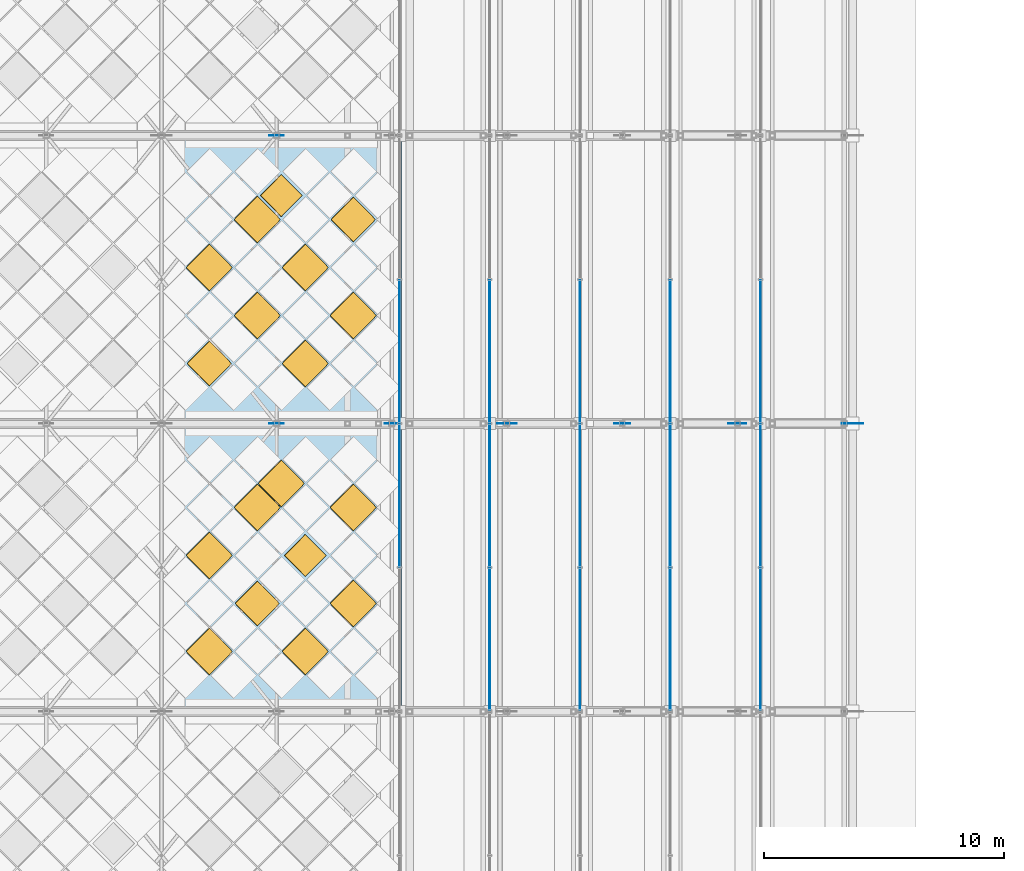
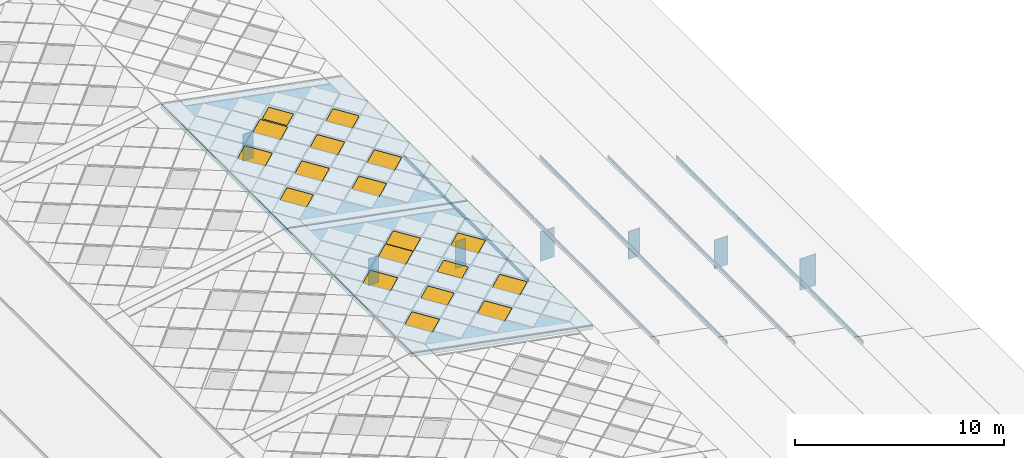
# One storey, part 95 of 117: 21 plates, 18 windows, 2 slabs, 18 openings, 5 elements without a shape of their own.
"""IFC4 building model written with IfcOpenShell, lengths in metres."""

from ifc_helpers import new_model, si_unit, direction, frame, origin, origin_2d, place, context, subcontext, project, spatial, polyline, rectangle, outline, extrude, material, layer, layer_set, type_object, element, fill, aggregate, save


model = new_model("IFC4")

# Units and contexts
model_context = context("Model", 3, precision=1e-05, world=origin(), true_north=direction((0.0, 1.0)))
body_context = subcontext(model_context, "Body", "Model", "MODEL_VIEW")
ifc_project = project(units=[si_unit("LENGTHUNIT", "METRE"), si_unit("AREAUNIT", "SQUARE_METRE"), si_unit("VOLUMEUNIT", "CUBIC_METRE"), si_unit("PLANEANGLEUNIT", "RADIAN"), si_unit("MASSUNIT", "GRAM", prefix="KILO")], contexts=[model_context])

# Site, building, storey
site_placement = place(None, origin())
site = spatial("IfcSite", under=ifc_project, at=site_placement, CompositionType="ELEMENT")
building_placement = place(site_placement, origin())
building = spatial("IfcBuilding", under=site, at=building_placement, Name="Merenkruunu Market Hall", CompositionType="ELEMENT")
storey_placement = place(building_placement, frame((0.0, 0.0, 22.800048828125)))
storey = spatial("IfcBuildingStorey", under=building, at=storey_placement, Name="RF", CompositionType="ELEMENT", Elevation=22.800048828125)

# Curtain wall, plates
ifc_material_1 = material(Name="Powder-coated aluminium", Category="aluminium")
curtain_wall_type = type_object("IfcCurtainWallType", Name="Clerestory Curtain Band CL05", PredefinedType="USERDEFINED", material=ifc_material_1)
curtain_wall_1_placement = place(storey_placement, origin())
curtain_wall_1 = element("IfcCurtainWall", 1, at=curtain_wall_1_placement, inside=storey, type_object=curtain_wall_type, Name="CW-RF-CWM04-086", ObjectType="CLERESTORY_BAND", PredefinedType="USERDEFINED")
ifc_material_2 = material(Name="Triple low-E insulated glass", Category="glass")
ifc_layer_1 = layer(ifc_material_2, 0.035888671875)
ifc_layer_set_1 = layer_set([ifc_layer_1], Name="Triple low-E insulated glass")
plate_type_1 = type_object("IfcPlateType", Name="Curtain Wall Glazing Panel CWP08", PredefinedType="CURTAIN_PANEL", material=ifc_layer_set_1)
plate_1_placement = place(storey_placement, frame((53.760009765625, 78.60009765625, -6.462158203125), z_axis=(0.0, 0.0, 1.0), x_axis=(0.0, -1.0, 0.0)))
plate_1 = element("IfcPlate", 2, at=plate_1_placement, type_object=plate_type_1, Name="CL05 panel 2.1", PredefinedType="CURTAIN_PANEL", context=body_context, shape_type="SweptSolid", body=[
    extrude(rectangle(XDim=5.929931640625, YDim=0.035888671875, at=origin_2d()), origin(), (0.0, 0.0, 1.0), 0.22802734375),
])
plate_2_placement = place(storey_placement, frame((53.760009765625, 72.60009765625, -6.462158203125), z_axis=(0.0, 0.0, 1.0), x_axis=(0.0, -1.0, 0.0)))
plate_2 = element("IfcPlate", 3, at=plate_2_placement, type_object=plate_type_1, Name="CL05 panel 3.1", PredefinedType="CURTAIN_PANEL", context=body_context, shape_type="SweptSolid", body=[
    extrude(rectangle(XDim=5.929931640625, YDim=0.035888671875, at=origin_2d()), origin(), (0.0, 0.0, 1.0), 0.22802734375),
])
plate_3_placement = place(storey_placement, frame((53.760009765625, 66.617431640625, -6.462158203125), z_axis=(0.0, 0.0, 1.0), x_axis=(0.0, -1.0, 0.0)))
plate_3 = element("IfcPlate", 4, at=plate_3_placement, type_object=plate_type_1, Name="CL05 panel 4.1", PredefinedType="CURTAIN_PANEL", context=body_context, shape_type="SweptSolid", body=[
    extrude(rectangle(XDim=5.89501953125, YDim=0.035888671875, at=origin_2d()), origin(), (0.0, 0.0, 1.0), 0.22802734375),
])
aggregate(curtain_wall_1, [plate_1, plate_2, plate_3])

curtain_wall_2_placement = place(storey_placement, origin())
curtain_wall_2 = element("IfcCurtainWall", 5, at=curtain_wall_2_placement, inside=storey, type_object=curtain_wall_type, Name="CW-RF-CWM04-094", ObjectType="CLERESTORY_BAND", PredefinedType="USERDEFINED")
plate_4_placement = place(storey_placement, frame((50.0, 78.60009765625, -5.14208984375), z_axis=(0.0, 0.0, 1.0), x_axis=(0.0, -1.0, 0.0)))
plate_4 = element("IfcPlate", 6, at=plate_4_placement, type_object=plate_type_1, Name="CL05 panel 2.1", PredefinedType="CURTAIN_PANEL", context=body_context, shape_type="SweptSolid", body=[
    extrude(rectangle(XDim=5.929931640625, YDim=0.035888671875, at=origin_2d()), origin(), (0.0, 0.0, 1.0), 0.20703125),
])
plate_5_placement = place(storey_placement, frame((50.0, 72.60009765625, -5.14208984375), z_axis=(0.0, 0.0, 1.0), x_axis=(0.0, -1.0, 0.0)))
plate_5 = element("IfcPlate", 7, at=plate_5_placement, type_object=plate_type_1, Name="CL05 panel 3.1", PredefinedType="CURTAIN_PANEL", context=body_context, shape_type="SweptSolid", body=[
    extrude(rectangle(XDim=5.929931640625, YDim=0.035888671875, at=origin_2d()), origin(), (0.0, 0.0, 1.0), 0.20703125),
])
plate_6_placement = place(storey_placement, frame((50.0, 66.617431640625, -5.14208984375), z_axis=(0.0, 0.0, 1.0), x_axis=(0.0, -1.0, 0.0)))
plate_6 = element("IfcPlate", 8, at=plate_6_placement, type_object=plate_type_1, Name="CL05 panel 4.1", PredefinedType="CURTAIN_PANEL", context=body_context, shape_type="SweptSolid", body=[
    extrude(rectangle(XDim=5.89501953125, YDim=0.035888671875, at=origin_2d()), origin(), (0.0, 0.0, 1.0), 0.20703125),
])
aggregate(curtain_wall_2, [plate_4, plate_5, plate_6])

curtain_wall_3_placement = place(storey_placement, origin())
curtain_wall_3 = element("IfcCurtainWall", 9, at=curtain_wall_3_placement, inside=storey, type_object=curtain_wall_type, Name="CW-RF-CWM04-102", ObjectType="CLERESTORY_BAND", PredefinedType="USERDEFINED")
plate_7_placement = place(storey_placement, frame((46.239990234375, 78.60009765625, -3.822021484375), z_axis=(0.0, 0.0, 1.0), x_axis=(0.0, -1.0, 0.0)))
plate_7 = element("IfcPlate", 10, at=plate_7_placement, type_object=plate_type_1, Name="CL05 panel 2.1", PredefinedType="CURTAIN_PANEL", context=body_context, shape_type="SweptSolid", body=[
    extrude(rectangle(XDim=5.929931640625, YDim=0.035888671875, at=origin_2d()), origin(), (0.0, 0.0, 1.0), 0.22802734375),
])
plate_8_placement = place(storey_placement, frame((46.239990234375, 72.60009765625, -3.822021484375), z_axis=(0.0, 0.0, 1.0), x_axis=(0.0, -1.0, 0.0)))
plate_8 = element("IfcPlate", 11, at=plate_8_placement, type_object=plate_type_1, Name="CL05 panel 3.1", PredefinedType="CURTAIN_PANEL", context=body_context, shape_type="SweptSolid", body=[
    extrude(rectangle(XDim=5.929931640625, YDim=0.035888671875, at=origin_2d()), origin(), (0.0, 0.0, 1.0), 0.22802734375),
])
plate_9_placement = place(storey_placement, frame((46.239990234375, 66.617431640625, -3.822021484375), z_axis=(0.0, 0.0, 1.0), x_axis=(0.0, -1.0, 0.0)))
plate_9 = element("IfcPlate", 12, at=plate_9_placement, type_object=plate_type_1, Name="CL05 panel 4.1", PredefinedType="CURTAIN_PANEL", context=body_context, shape_type="SweptSolid", body=[
    extrude(rectangle(XDim=5.89501953125, YDim=0.035888671875, at=origin_2d()), origin(), (0.0, 0.0, 1.0), 0.22802734375),
])
aggregate(curtain_wall_3, [plate_7, plate_8, plate_9])

curtain_wall_4_placement = place(storey_placement, origin())
curtain_wall_4 = element("IfcCurtainWall", 13, at=curtain_wall_4_placement, inside=storey, type_object=curtain_wall_type, Name="CW-RF-CWM04-110", ObjectType="CLERESTORY_BAND", PredefinedType="USERDEFINED")
plate_10_placement = place(storey_placement, frame((42.47998046875, 78.60009765625, -2.501953125), z_axis=(0.0, 0.0, 1.0), x_axis=(0.0, -1.0, 0.0)))
plate_10 = element("IfcPlate", 14, at=plate_10_placement, type_object=plate_type_1, Name="CL05 panel 2.1", PredefinedType="CURTAIN_PANEL", context=body_context, shape_type="SweptSolid", body=[
    extrude(rectangle(XDim=5.929931640625, YDim=0.035888671875, at=origin_2d()), origin(), (0.0, 0.0, 1.0), 0.20703125),
])
plate_11_placement = place(storey_placement, frame((42.47998046875, 72.60009765625, -2.501953125), z_axis=(0.0, 0.0, 1.0), x_axis=(0.0, -1.0, 0.0)))
plate_11 = element("IfcPlate", 15, at=plate_11_placement, type_object=plate_type_1, Name="CL05 panel 3.1", PredefinedType="CURTAIN_PANEL", context=body_context, shape_type="SweptSolid", body=[
    extrude(rectangle(XDim=5.929931640625, YDim=0.035888671875, at=origin_2d()), origin(), (0.0, 0.0, 1.0), 0.20703125),
])
plate_12_placement = place(storey_placement, frame((42.47998046875, 66.617431640625, -2.501953125), z_axis=(0.0, 0.0, 1.0), x_axis=(0.0, -1.0, 0.0)))
plate_12 = element("IfcPlate", 16, at=plate_12_placement, type_object=plate_type_1, Name="CL05 panel 4.1", PredefinedType="CURTAIN_PANEL", context=body_context, shape_type="SweptSolid", body=[
    extrude(rectangle(XDim=5.89501953125, YDim=0.035888671875, at=origin_2d()), origin(), (0.0, 0.0, 1.0), 0.20703125),
])
aggregate(curtain_wall_4, [plate_10, plate_11, plate_12])

curtain_wall_5_placement = place(storey_placement, origin())
curtain_wall_5 = element("IfcCurtainWall", 17, at=curtain_wall_5_placement, inside=storey, type_object=curtain_wall_type, Name="CW-RF-CWM04-118", ObjectType="CLERESTORY_BAND", PredefinedType="USERDEFINED")
plate_13_placement = place(storey_placement, frame((38.719970703125, 78.60009765625, -1.18212890625), z_axis=(0.0, 0.0, 1.0), x_axis=(0.0, -1.0, 0.0)))
plate_13 = element("IfcPlate", 18, at=plate_13_placement, type_object=plate_type_1, Name="CL05 panel 2.1", PredefinedType="CURTAIN_PANEL", context=body_context, shape_type="SweptSolid", body=[
    extrude(rectangle(XDim=5.929931640625, YDim=0.035888671875, at=origin_2d()), origin(), (0.0, 0.0, 1.0), 0.22802734375),
])
plate_14_placement = place(storey_placement, frame((38.719970703125, 72.60009765625, -1.18212890625), z_axis=(0.0, 0.0, 1.0), x_axis=(0.0, -1.0, 0.0)))
plate_14 = element("IfcPlate", 19, at=plate_14_placement, type_object=plate_type_1, Name="CL05 panel 3.1", PredefinedType="CURTAIN_PANEL", context=body_context, shape_type="SweptSolid", body=[
    extrude(rectangle(XDim=5.929931640625, YDim=0.035888671875, at=origin_2d()), origin(), (0.0, 0.0, 1.0), 0.22802734375),
])
aggregate(curtain_wall_5, [plate_13, plate_14])

# Slab, openings, windows
ifc_material_3 = material(Name="High-albedo white roof Steel S355ML", Category="steel")
ifc_layer_2 = layer(ifc_material_3, 0.199951171875)
ifc_layer_set_2 = layer_set([ifc_layer_2], Name="High-albedo white roof Steel S355ML")
slab_type = type_object("IfcSlabType", Name="Sloped Or Flat Roof Deck RS01", PredefinedType="ROOF", material=ifc_layer_set_2)
slab_1_placement = place(storey_placement, frame((28.800048828125, 63.60009765625, 1.800048828125), z_axis=(0.184775267092, 0.0, 0.98278079991), x_axis=(0.98278079991, 0.0, -0.184775267092)))
slab_1 = element("IfcSlab", 20, at=slab_1_placement, inside=storey, type_object=slab_type, Name="SL-ROOF-V1-CROWN-E-05", PredefinedType="ROOF", context=body_context, shape_type="SweptSolid", body=[
    extrude(outline(polyline([(0.0, 0.0), (10.175208959027184, 0.0), (10.175208959027184, 12.0), (0.0, 12.0), (0.0, 0.0)])), origin(), (0.0, 0.0, -1.0), 0.199951171875),
])
opening_1_placement = place(slab_1_placement, frame((2.034912109375, 2.5, 0.0), z_axis=(0.0, 0.0, 1.0), x_axis=(0.707106781187, 0.707106781187, 0.0)))
opening_1 = element("IfcOpeningElement", 21, at=opening_1_placement, cuts=slab_1, Name="Opening SK01", PredefinedType="OPENING", context=body_context, shape_type="SweptSolid", body=[
    extrude(rectangle(XDim=1.3798828125, YDim=1.3798828125, at=origin_2d()), frame((0.0, 0.0, 0.014892578125), z_axis=(0.0, 0.0, -1.0), x_axis=(1.0, 0.0, 0.0)), (0.0, 0.0, 1.0), 0.229736328125),
])
opening_2_placement = place(slab_1_placement, frame((2.034912109375, 6.5, 0.0), z_axis=(0.0, 0.0, 1.0), x_axis=(0.707106781187, 0.707106781187, 0.0)))
opening_2 = element("IfcOpeningElement", 22, at=opening_2_placement, cuts=slab_1, Name="Opening SK01", PredefinedType="OPENING", context=body_context, shape_type="SweptSolid", body=[
    extrude(rectangle(XDim=1.3798828125, YDim=1.3798828125, at=origin_2d()), frame((0.0, 0.0, 0.014892578125), z_axis=(0.0, 0.0, -1.0), x_axis=(1.0, 0.0, 0.0)), (0.0, 0.0, 1.0), 0.229736328125),
])
opening_3_placement = place(slab_1_placement, frame((4.070068359375, 4.5, -0.000244140625), z_axis=(0.0, 0.0, 1.0), x_axis=(0.707106781187, 0.707106781187, 0.0)))
opening_3 = element("IfcOpeningElement", 23, at=opening_3_placement, cuts=slab_1, Name="Opening SK02", PredefinedType="OPENING", context=body_context, shape_type="SweptSolid", body=[
    extrude(rectangle(XDim=1.320068359375, YDim=1.320068359375, at=origin_2d()), frame((0.0, 0.0, 0.014892578125), z_axis=(0.0, 0.0, -1.0), x_axis=(1.0, 0.0, 0.0)), (0.0, 0.0, 1.0), 0.229736328125),
])
opening_4_placement = place(slab_1_placement, frame((4.070068359375, 8.5, -0.000244140625), z_axis=(0.0, 0.0, 1.0), x_axis=(0.707106781187, 0.707106781187, 0.0)))
opening_4 = element("IfcOpeningElement", 24, at=opening_4_placement, cuts=slab_1, Name="Opening SK01", PredefinedType="OPENING", context=body_context, shape_type="SweptSolid", body=[
    extrude(rectangle(XDim=1.3798828125, YDim=1.3798828125, at=origin_2d()), frame((0.0, 0.0, 0.014892578125), z_axis=(0.0, 0.0, -1.0), x_axis=(1.0, 0.0, 0.0)), (0.0, 0.0, 1.0), 0.229736328125),
])
opening_5_placement = place(slab_1_placement, frame((5.087646484375, 9.5, 0.0), z_axis=(0.0, 0.0, 1.0), x_axis=(0.707106781187, 0.707106781187, 0.0)))
opening_5 = element("IfcOpeningElement", 25, at=opening_5_placement, cuts=slab_1, Name="Opening SK01", PredefinedType="OPENING", context=body_context, shape_type="SweptSolid", body=[
    extrude(rectangle(XDim=1.3798828125, YDim=1.3798828125, at=origin_2d()), frame((0.0, 0.0, 0.014892578125), z_axis=(0.0, 0.0, -1.0), x_axis=(1.0, 0.0, 0.0)), (0.0, 0.0, 1.0), 0.229736328125),
])
opening_6_placement = place(slab_1_placement, frame((6.105224609375, 2.5, 0.0), z_axis=(0.0, 0.0, 1.0), x_axis=(0.707106781187, 0.707106781187, 0.0)))
opening_6 = element("IfcOpeningElement", 26, at=opening_6_placement, cuts=slab_1, Name="Opening SK01", PredefinedType="OPENING", context=body_context, shape_type="SweptSolid", body=[
    extrude(rectangle(XDim=1.3798828125, YDim=1.3798828125, at=origin_2d()), frame((0.0, 0.0, 0.014892578125), z_axis=(0.0, 0.0, -1.0), x_axis=(1.0, 0.0, 0.0)), (0.0, 0.0, 1.0), 0.229736328125),
])
opening_7_placement = place(slab_1_placement, frame((6.105224609375, 6.5, 0.0), z_axis=(0.0, 0.0, 1.0), x_axis=(0.707106781187, 0.707106781187, 0.0)))
opening_7 = element("IfcOpeningElement", 27, at=opening_7_placement, cuts=slab_1, Name="Opening SK03", PredefinedType="OPENING", context=body_context, shape_type="SweptSolid", body=[
    extrude(rectangle(XDim=1.239990234375, YDim=1.239990234375, at=origin_2d()), frame((0.0, 0.0, 0.014892578125), z_axis=(0.0, 0.0, -1.0), x_axis=(1.0, 0.0, 0.0)), (0.0, 0.0, 1.0), 0.229736328125),
])
opening_8_placement = place(slab_1_placement, frame((8.14013671875, 4.5, 0.0), z_axis=(0.0, 0.0, 1.0), x_axis=(0.707106781187, 0.707106781187, 0.0)))
opening_8 = element("IfcOpeningElement", 28, at=opening_8_placement, cuts=slab_1, Name="Opening SK01", PredefinedType="OPENING", context=body_context, shape_type="SweptSolid", body=[
    extrude(rectangle(XDim=1.3798828125, YDim=1.3798828125, at=origin_2d()), frame((0.0, 0.0, 0.014892578125), z_axis=(0.0, 0.0, -1.0), x_axis=(1.0, 0.0, 0.0)), (0.0, 0.0, 1.0), 0.229736328125),
])
opening_9_placement = place(slab_1_placement, frame((8.14013671875, 8.5, 0.0), z_axis=(0.0, 0.0, 1.0), x_axis=(0.707106781187, 0.707106781187, 0.0)))
opening_9 = element("IfcOpeningElement", 29, at=opening_9_placement, cuts=slab_1, Name="Opening SK01", PredefinedType="OPENING", context=body_context, shape_type="SweptSolid", body=[
    extrude(rectangle(XDim=1.3798828125, YDim=1.3798828125, at=origin_2d()), frame((0.0, 0.0, 0.014892578125), z_axis=(0.0, 0.0, -1.0), x_axis=(1.0, 0.0, 0.0)), (0.0, 0.0, 1.0), 0.229736328125),
])
ifc_material_4 = material(Name="Diamond skylight blue triple glass", Category="glass")
ifc_layer_3 = layer(ifc_material_4, 0.094970703125)
ifc_layer_set_3 = layer_set([ifc_layer_3], Name="Diamond skylight blue triple glass")
window_type_1 = type_object("IfcWindowType", Name="Diamond Roof Skylight SK01", PartitioningType="SINGLE_PANEL", PredefinedType="SKYLIGHT", material=ifc_layer_set_3)
window_1_placement = place(opening_1_placement, origin())
window_1 = element("IfcWindow", 30, at=window_1_placement, inside=storey, type_object=window_type_1, Name="SKY-CROWN-082", OverallHeight=1.3798828125, OverallWidth=1.3798828125, PartitioningType="SINGLE_PANEL", PredefinedType="SKYLIGHT", context=body_context, shape_type="SweptSolid", body=[
    extrude(rectangle(XDim=1.3798828125, YDim=1.3798828125, at=origin_2d()), frame((0.0, 0.0, 0.0), z_axis=(0.0, 0.0, -1.0), x_axis=(1.0, 0.0, 0.0)), (0.0, 0.0, 1.0), 0.094970703125),
])
fill(opening_1, window_1)
window_2_placement = place(opening_2_placement, origin())
window_2 = element("IfcWindow", 31, at=window_2_placement, inside=storey, type_object=window_type_1, Name="SKY-CROWN-083", OverallHeight=1.3798828125, OverallWidth=1.3798828125, PartitioningType="SINGLE_PANEL", PredefinedType="SKYLIGHT", context=body_context, shape_type="SweptSolid", body=[
    extrude(rectangle(XDim=1.3798828125, YDim=1.3798828125, at=origin_2d()), frame((0.0, 0.0, 0.0), z_axis=(0.0, 0.0, -1.0), x_axis=(1.0, 0.0, 0.0)), (0.0, 0.0, 1.0), 0.094970703125),
])
fill(opening_2, window_2)
window_3_placement = place(opening_4_placement, origin())
window_3 = element("IfcWindow", 32, at=window_3_placement, inside=storey, type_object=window_type_1, Name="SKY-CROWN-085", OverallHeight=1.3798828125, OverallWidth=1.3798828125, PartitioningType="SINGLE_PANEL", PredefinedType="SKYLIGHT", context=body_context, shape_type="SweptSolid", body=[
    extrude(rectangle(XDim=1.3798828125, YDim=1.3798828125, at=origin_2d()), frame((0.0, 0.0, 0.0), z_axis=(0.0, 0.0, -1.0), x_axis=(1.0, 0.0, 0.0)), (0.0, 0.0, 1.0), 0.094970703125),
])
fill(opening_4, window_3)
window_4_placement = place(opening_5_placement, origin())
window_4 = element("IfcWindow", 33, at=window_4_placement, inside=storey, type_object=window_type_1, Name="SKY-CROWN-086", OverallHeight=1.3798828125, OverallWidth=1.3798828125, PartitioningType="SINGLE_PANEL", PredefinedType="SKYLIGHT", context=body_context, shape_type="SweptSolid", body=[
    extrude(rectangle(XDim=1.3798828125, YDim=1.3798828125, at=origin_2d()), frame((0.0, 0.0, 0.0), z_axis=(0.0, 0.0, -1.0), x_axis=(1.0, 0.0, 0.0)), (0.0, 0.0, 1.0), 0.094970703125),
])
fill(opening_5, window_4)
window_5_placement = place(opening_6_placement, origin())
window_5 = element("IfcWindow", 34, at=window_5_placement, inside=storey, type_object=window_type_1, Name="SKY-CROWN-087", OverallHeight=1.3798828125, OverallWidth=1.3798828125, PartitioningType="SINGLE_PANEL", PredefinedType="SKYLIGHT", context=body_context, shape_type="SweptSolid", body=[
    extrude(rectangle(XDim=1.3798828125, YDim=1.3798828125, at=origin_2d()), frame((0.0, 0.0, 0.0), z_axis=(0.0, 0.0, -1.0), x_axis=(1.0, 0.0, 0.0)), (0.0, 0.0, 1.0), 0.094970703125),
])
fill(opening_6, window_5)
window_6_placement = place(opening_8_placement, origin())
window_6 = element("IfcWindow", 35, at=window_6_placement, inside=storey, type_object=window_type_1, Name="SKY-CROWN-089", OverallHeight=1.3798828125, OverallWidth=1.3798828125, PartitioningType="SINGLE_PANEL", PredefinedType="SKYLIGHT", context=body_context, shape_type="SweptSolid", body=[
    extrude(rectangle(XDim=1.3798828125, YDim=1.3798828125, at=origin_2d()), frame((0.0, 0.0, 0.0), z_axis=(0.0, 0.0, -1.0), x_axis=(1.0, 0.0, 0.0)), (0.0, 0.0, 1.0), 0.094970703125),
])
fill(opening_8, window_6)
window_7_placement = place(opening_9_placement, origin())
window_7 = element("IfcWindow", 36, at=window_7_placement, inside=storey, type_object=window_type_1, Name="SKY-CROWN-090", OverallHeight=1.3798828125, OverallWidth=1.3798828125, PartitioningType="SINGLE_PANEL", PredefinedType="SKYLIGHT", context=body_context, shape_type="SweptSolid", body=[
    extrude(rectangle(XDim=1.3798828125, YDim=1.3798828125, at=origin_2d()), frame((0.0, 0.0, 0.0), z_axis=(0.0, 0.0, -1.0), x_axis=(1.0, 0.0, 0.0)), (0.0, 0.0, 1.0), 0.094970703125),
])
fill(opening_9, window_7)
ifc_layer_4 = layer(ifc_material_4, 0.094970703125)
ifc_layer_set_4 = layer_set([ifc_layer_4], Name="Diamond skylight blue triple glass")
window_type_2 = type_object("IfcWindowType", Name="Diamond Roof Skylight SK02", PartitioningType="SINGLE_PANEL", PredefinedType="SKYLIGHT", material=ifc_layer_set_4)
window_8_placement = place(opening_3_placement, origin())
window_8 = element("IfcWindow", 37, at=window_8_placement, inside=storey, type_object=window_type_2, Name="SKY-CROWN-084", OverallHeight=1.320068359375, OverallWidth=1.320068359375, PartitioningType="SINGLE_PANEL", PredefinedType="SKYLIGHT", context=body_context, shape_type="SweptSolid", body=[
    extrude(rectangle(XDim=1.320068359375, YDim=1.320068359375, at=origin_2d()), frame((0.0, 0.0, 0.0), z_axis=(0.0, 0.0, -1.0), x_axis=(1.0, 0.0, 0.0)), (0.0, 0.0, 1.0), 0.094970703125),
])
fill(opening_3, window_8)
ifc_layer_5 = layer(ifc_material_4, 0.094970703125)
ifc_layer_set_5 = layer_set([ifc_layer_5], Name="Diamond skylight blue triple glass")
window_type_3 = type_object("IfcWindowType", Name="Roof Smoke Vent Skylight SK03", PartitioningType="SINGLE_PANEL", PredefinedType="SKYLIGHT", material=ifc_layer_set_5)
window_9_placement = place(opening_7_placement, origin())
window_9 = element("IfcWindow", 38, at=window_9_placement, inside=storey, type_object=window_type_3, Name="SKY-CROWN-088", OverallHeight=1.239990234375, OverallWidth=1.239990234375, PartitioningType="SINGLE_PANEL", PredefinedType="SKYLIGHT", context=body_context, shape_type="SweptSolid", body=[
    extrude(rectangle(XDim=1.239990234375, YDim=1.239990234375, at=origin_2d()), frame((0.0, 0.0, 0.0), z_axis=(0.0, 0.0, -1.0), x_axis=(1.0, 0.0, 0.0)), (0.0, 0.0, 1.0), 0.094970703125),
])
fill(opening_7, window_9)

slab_2_placement = place(storey_placement, frame((28.800048828125, 75.60009765625, 1.800048828125), z_axis=(0.184775267092, 0.0, 0.98278079991), x_axis=(0.98278079991, 0.0, -0.184775267092)))
slab_2 = element("IfcSlab", 39, at=slab_2_placement, inside=storey, type_object=slab_type, Name="SL-ROOF-V1-CROWN-E-06", PredefinedType="ROOF", context=body_context, shape_type="SweptSolid", body=[
    extrude(outline(polyline([(0.0, 0.0), (10.175208959027184, 0.0), (10.175208959027184, 12.0), (0.0, 12.0), (0.0, 0.0)])), origin(), (0.0, 0.0, -1.0), 0.199951171875),
])
opening_10_placement = place(slab_2_placement, frame((2.034912109375, 2.5, 0.0), z_axis=(0.0, 0.0, 1.0), x_axis=(0.707106781187, 0.707106781187, 0.0)))
opening_10 = element("IfcOpeningElement", 40, at=opening_10_placement, cuts=slab_2, Name="Opening SK02", PredefinedType="OPENING", context=body_context, shape_type="SweptSolid", body=[
    extrude(rectangle(XDim=1.320068359375, YDim=1.320068359375, at=origin_2d()), frame((0.0, 0.0, 0.014892578125), z_axis=(0.0, 0.0, -1.0), x_axis=(1.0, 0.0, 0.0)), (0.0, 0.0, 1.0), 0.229736328125),
])
opening_11_placement = place(slab_2_placement, frame((2.034912109375, 6.5, 0.0), z_axis=(0.0, 0.0, 1.0), x_axis=(0.707106781187, 0.707106781187, 0.0)))
opening_11 = element("IfcOpeningElement", 41, at=opening_11_placement, cuts=slab_2, Name="Opening SK01", PredefinedType="OPENING", context=body_context, shape_type="SweptSolid", body=[
    extrude(rectangle(XDim=1.3798828125, YDim=1.3798828125, at=origin_2d()), frame((0.0, 0.0, 0.014892578125), z_axis=(0.0, 0.0, -1.0), x_axis=(1.0, 0.0, 0.0)), (0.0, 0.0, 1.0), 0.229736328125),
])
opening_12_placement = place(slab_2_placement, frame((4.070068359375, 4.5, -0.000244140625), z_axis=(0.0, 0.0, 1.0), x_axis=(0.707106781187, 0.707106781187, 0.0)))
opening_12 = element("IfcOpeningElement", 42, at=opening_12_placement, cuts=slab_2, Name="Opening SK01", PredefinedType="OPENING", context=body_context, shape_type="SweptSolid", body=[
    extrude(rectangle(XDim=1.3798828125, YDim=1.3798828125, at=origin_2d()), frame((0.0, 0.0, 0.014892578125), z_axis=(0.0, 0.0, -1.0), x_axis=(1.0, 0.0, 0.0)), (0.0, 0.0, 1.0), 0.229736328125),
])
opening_13_placement = place(slab_2_placement, frame((4.070068359375, 8.5, -0.000244140625), z_axis=(0.0, 0.0, 1.0), x_axis=(0.707106781187, 0.707106781187, 0.0)))
opening_13 = element("IfcOpeningElement", 43, at=opening_13_placement, cuts=slab_2, Name="Opening SK01", PredefinedType="OPENING", context=body_context, shape_type="SweptSolid", body=[
    extrude(rectangle(XDim=1.3798828125, YDim=1.3798828125, at=origin_2d()), frame((0.0, 0.0, 0.014892578125), z_axis=(0.0, 0.0, -1.0), x_axis=(1.0, 0.0, 0.0)), (0.0, 0.0, 1.0), 0.229736328125),
])
opening_14_placement = place(slab_2_placement, frame((5.087646484375, 9.5, 0.0), z_axis=(0.0, 0.0, 1.0), x_axis=(0.707106781187, 0.707106781187, 0.0)))
opening_14 = element("IfcOpeningElement", 44, at=opening_14_placement, cuts=slab_2, Name="Opening SK03", PredefinedType="OPENING", context=body_context, shape_type="SweptSolid", body=[
    extrude(rectangle(XDim=1.239990234375, YDim=1.239990234375, at=origin_2d()), frame((0.0, 0.0, 0.014892578125), z_axis=(0.0, 0.0, -1.0), x_axis=(1.0, 0.0, 0.0)), (0.0, 0.0, 1.0), 0.229736328125),
])
opening_15_placement = place(slab_2_placement, frame((6.105224609375, 2.5, 0.0), z_axis=(0.0, 0.0, 1.0), x_axis=(0.707106781187, 0.707106781187, 0.0)))
opening_15 = element("IfcOpeningElement", 45, at=opening_15_placement, cuts=slab_2, Name="Opening SK01", PredefinedType="OPENING", context=body_context, shape_type="SweptSolid", body=[
    extrude(rectangle(XDim=1.3798828125, YDim=1.3798828125, at=origin_2d()), frame((0.0, 0.0, 0.014892578125), z_axis=(0.0, 0.0, -1.0), x_axis=(1.0, 0.0, 0.0)), (0.0, 0.0, 1.0), 0.229736328125),
])
opening_16_placement = place(slab_2_placement, frame((6.105224609375, 6.5, 0.0), z_axis=(0.0, 0.0, 1.0), x_axis=(0.707106781187, 0.707106781187, 0.0)))
opening_16 = element("IfcOpeningElement", 46, at=opening_16_placement, cuts=slab_2, Name="Opening SK01", PredefinedType="OPENING", context=body_context, shape_type="SweptSolid", body=[
    extrude(rectangle(XDim=1.3798828125, YDim=1.3798828125, at=origin_2d()), frame((0.0, 0.0, 0.014892578125), z_axis=(0.0, 0.0, -1.0), x_axis=(1.0, 0.0, 0.0)), (0.0, 0.0, 1.0), 0.229736328125),
])
opening_17_placement = place(slab_2_placement, frame((8.14013671875, 4.5, 0.0), z_axis=(0.0, 0.0, 1.0), x_axis=(0.707106781187, 0.707106781187, 0.0)))
opening_17 = element("IfcOpeningElement", 47, at=opening_17_placement, cuts=slab_2, Name="Opening SK01", PredefinedType="OPENING", context=body_context, shape_type="SweptSolid", body=[
    extrude(rectangle(XDim=1.3798828125, YDim=1.3798828125, at=origin_2d()), frame((0.0, 0.0, 0.014892578125), z_axis=(0.0, 0.0, -1.0), x_axis=(1.0, 0.0, 0.0)), (0.0, 0.0, 1.0), 0.229736328125),
])
opening_18_placement = place(slab_2_placement, frame((8.14013671875, 8.5, 0.0), z_axis=(0.0, 0.0, 1.0), x_axis=(0.707106781187, 0.707106781187, 0.0)))
opening_18 = element("IfcOpeningElement", 48, at=opening_18_placement, cuts=slab_2, Name="Opening SK02", PredefinedType="OPENING", context=body_context, shape_type="SweptSolid", body=[
    extrude(rectangle(XDim=1.320068359375, YDim=1.320068359375, at=origin_2d()), frame((0.0, 0.0, 0.014892578125), z_axis=(0.0, 0.0, -1.0), x_axis=(1.0, 0.0, 0.0)), (0.0, 0.0, 1.0), 0.229736328125),
])
window_10_placement = place(opening_11_placement, origin())
window_10 = element("IfcWindow", 49, at=window_10_placement, inside=storey, type_object=window_type_1, Name="SKY-CROWN-101", OverallHeight=1.3798828125, OverallWidth=1.3798828125, PartitioningType="SINGLE_PANEL", PredefinedType="SKYLIGHT", context=body_context, shape_type="SweptSolid", body=[
    extrude(rectangle(XDim=1.3798828125, YDim=1.3798828125, at=origin_2d()), frame((0.0, 0.0, 0.0), z_axis=(0.0, 0.0, -1.0), x_axis=(1.0, 0.0, 0.0)), (0.0, 0.0, 1.0), 0.094970703125),
])
fill(opening_11, window_10)
window_11_placement = place(opening_12_placement, origin())
window_11 = element("IfcWindow", 50, at=window_11_placement, inside=storey, type_object=window_type_1, Name="SKY-CROWN-102", OverallHeight=1.3798828125, OverallWidth=1.3798828125, PartitioningType="SINGLE_PANEL", PredefinedType="SKYLIGHT", context=body_context, shape_type="SweptSolid", body=[
    extrude(rectangle(XDim=1.3798828125, YDim=1.3798828125, at=origin_2d()), frame((0.0, 0.0, 0.0), z_axis=(0.0, 0.0, -1.0), x_axis=(1.0, 0.0, 0.0)), (0.0, 0.0, 1.0), 0.094970703125),
])
fill(opening_12, window_11)
window_12_placement = place(opening_13_placement, origin())
window_12 = element("IfcWindow", 51, at=window_12_placement, inside=storey, type_object=window_type_1, Name="SKY-CROWN-103", OverallHeight=1.3798828125, OverallWidth=1.3798828125, PartitioningType="SINGLE_PANEL", PredefinedType="SKYLIGHT", context=body_context, shape_type="SweptSolid", body=[
    extrude(rectangle(XDim=1.3798828125, YDim=1.3798828125, at=origin_2d()), frame((0.0, 0.0, 0.0), z_axis=(0.0, 0.0, -1.0), x_axis=(1.0, 0.0, 0.0)), (0.0, 0.0, 1.0), 0.094970703125),
])
fill(opening_13, window_12)
window_13_placement = place(opening_15_placement, origin())
window_13 = element("IfcWindow", 52, at=window_13_placement, inside=storey, type_object=window_type_1, Name="SKY-CROWN-105", OverallHeight=1.3798828125, OverallWidth=1.3798828125, PartitioningType="SINGLE_PANEL", PredefinedType="SKYLIGHT", context=body_context, shape_type="SweptSolid", body=[
    extrude(rectangle(XDim=1.3798828125, YDim=1.3798828125, at=origin_2d()), frame((0.0, 0.0, 0.0), z_axis=(0.0, 0.0, -1.0), x_axis=(1.0, 0.0, 0.0)), (0.0, 0.0, 1.0), 0.094970703125),
])
fill(opening_15, window_13)
window_14_placement = place(opening_16_placement, origin())
window_14 = element("IfcWindow", 53, at=window_14_placement, inside=storey, type_object=window_type_1, Name="SKY-CROWN-106", OverallHeight=1.3798828125, OverallWidth=1.3798828125, PartitioningType="SINGLE_PANEL", PredefinedType="SKYLIGHT", context=body_context, shape_type="SweptSolid", body=[
    extrude(rectangle(XDim=1.3798828125, YDim=1.3798828125, at=origin_2d()), frame((0.0, 0.0, 0.0), z_axis=(0.0, 0.0, -1.0), x_axis=(1.0, 0.0, 0.0)), (0.0, 0.0, 1.0), 0.094970703125),
])
fill(opening_16, window_14)
window_15_placement = place(opening_17_placement, origin())
window_15 = element("IfcWindow", 54, at=window_15_placement, inside=storey, type_object=window_type_1, Name="SKY-CROWN-107", OverallHeight=1.3798828125, OverallWidth=1.3798828125, PartitioningType="SINGLE_PANEL", PredefinedType="SKYLIGHT", context=body_context, shape_type="SweptSolid", body=[
    extrude(rectangle(XDim=1.3798828125, YDim=1.3798828125, at=origin_2d()), frame((0.0, 0.0, 0.0), z_axis=(0.0, 0.0, -1.0), x_axis=(1.0, 0.0, 0.0)), (0.0, 0.0, 1.0), 0.094970703125),
])
fill(opening_17, window_15)
window_16_placement = place(opening_10_placement, origin())
window_16 = element("IfcWindow", 55, at=window_16_placement, inside=storey, type_object=window_type_2, Name="SKY-CROWN-100", OverallHeight=1.320068359375, OverallWidth=1.320068359375, PartitioningType="SINGLE_PANEL", PredefinedType="SKYLIGHT", context=body_context, shape_type="SweptSolid", body=[
    extrude(rectangle(XDim=1.320068359375, YDim=1.320068359375, at=origin_2d()), frame((0.0, 0.0, 0.0), z_axis=(0.0, 0.0, -1.0), x_axis=(1.0, 0.0, 0.0)), (0.0, 0.0, 1.0), 0.094970703125),
])
fill(opening_10, window_16)
window_17_placement = place(opening_18_placement, origin())
window_17 = element("IfcWindow", 56, at=window_17_placement, inside=storey, type_object=window_type_2, Name="SKY-CROWN-108", OverallHeight=1.320068359375, OverallWidth=1.320068359375, PartitioningType="SINGLE_PANEL", PredefinedType="SKYLIGHT", context=body_context, shape_type="SweptSolid", body=[
    extrude(rectangle(XDim=1.320068359375, YDim=1.320068359375, at=origin_2d()), frame((0.0, 0.0, 0.0), z_axis=(0.0, 0.0, -1.0), x_axis=(1.0, 0.0, 0.0)), (0.0, 0.0, 1.0), 0.094970703125),
])
fill(opening_18, window_17)
window_18_placement = place(opening_14_placement, origin())
window_18 = element("IfcWindow", 57, at=window_18_placement, inside=storey, type_object=window_type_3, Name="SKY-CROWN-104", OverallHeight=1.239990234375, OverallWidth=1.239990234375, PartitioningType="SINGLE_PANEL", PredefinedType="SKYLIGHT", context=body_context, shape_type="SweptSolid", body=[
    extrude(rectangle(XDim=1.239990234375, YDim=1.239990234375, at=origin_2d()), frame((0.0, 0.0, 0.0), z_axis=(0.0, 0.0, -1.0), x_axis=(1.0, 0.0, 0.0)), (0.0, 0.0, 1.0), 0.094970703125),
])
fill(opening_14, window_18)

# Plates
ifc_material_5 = material(Name="Steel S355ML", Category="steel")
ifc_layer_6 = layer(ifc_material_5, 0.030029296875)
ifc_layer_set_6 = layer_set([ifc_layer_6], Name="Steel S355ML")
plate_type_2 = type_object("IfcPlateType", Name="Truss Gusset Or Cap Plate TN01", PredefinedType="USERDEFINED", material=ifc_layer_set_6)
plate_15_placement = place(storey_placement, frame((57.60009765625, 75.60009765625, -11.72509765625), z_axis=(0.0, 0.0, 1.0), x_axis=(1.0, 0.0, 0.0)))
element("IfcPlate", 58, at=plate_15_placement, inside=storey, type_object=plate_type_2, Name="PLT-AT-6-NODE-12", ObjectType="GUSSET_PLATE", PredefinedType="USERDEFINED", context=body_context, shape_type="SweptSolid", body=[
    extrude(rectangle(XDim=0.89990234375, YDim=0.030029296875, at=origin_2d()), origin(), (0.0, 0.0, 1.0), 1.85009765625),
])
ifc_layer_7 = layer(ifc_material_5, 0.02490234375)
ifc_layer_set_7 = layer_set([ifc_layer_7], Name="Steel S355ML")
plate_type_3 = type_object("IfcPlateType", Name="Truss Gusset Or Cap Plate TN02", PredefinedType="USERDEFINED", material=ifc_layer_set_7)
plate_16_placement = place(storey_placement, frame((52.800048828125, 75.60009765625, -8.81591796875), z_axis=(0.0, 0.0, 1.0), x_axis=(1.0, 0.0, 0.0)))
element("IfcPlate", 59, at=plate_16_placement, inside=storey, type_object=plate_type_3, Name="PLT-AT-6-NODE-11", ObjectType="GUSSET_PLATE", PredefinedType="USERDEFINED", context=body_context, shape_type="SweptSolid", body=[
    extrude(rectangle(XDim=0.75, YDim=0.02490234375, at=origin_2d()), origin(), (0.0, 0.0, 1.0), 1.699951171875),
])
ifc_layer_8 = layer(ifc_material_5, 0.02490234375)
ifc_layer_set_8 = layer_set([ifc_layer_8], Name="Steel S355ML")
plate_type_4 = type_object("IfcPlateType", Name="Truss Gusset Or Cap Plate TN03", PredefinedType="USERDEFINED", material=ifc_layer_set_8)
plate_17_placement = place(storey_placement, frame((48.0, 75.60009765625, -6.595947265625), z_axis=(0.0, 0.0, 1.0), x_axis=(1.0, 0.0, 0.0)))
element("IfcPlate", 60, at=plate_17_placement, inside=storey, type_object=plate_type_4, Name="PLT-AT-6-NODE-10", ObjectType="GUSSET_PLATE", PredefinedType="USERDEFINED", context=body_context, shape_type="SweptSolid", body=[
    extrude(rectangle(XDim=0.64990234375, YDim=0.02490234375, at=origin_2d()), origin(), (0.0, 0.0, 1.0), 1.64990234375),
])
ifc_layer_9 = layer(ifc_material_5, 0.028076171875)
ifc_layer_set_9 = layer_set([ifc_layer_9], Name="Steel S355ML")
plate_type_5 = type_object("IfcPlateType", Name="Truss Gusset Or Cap Plate TN04", PredefinedType="USERDEFINED", material=ifc_layer_set_9)
plate_18_placement = place(storey_placement, frame((43.199951171875, 75.60009765625, -5.005126953125), z_axis=(0.0, 0.0, 1.0), x_axis=(1.0, 0.0, 0.0)))
element("IfcPlate", 61, at=plate_18_placement, inside=storey, type_object=plate_type_5, Name="PLT-AT-6-NODE-09", ObjectType="GUSSET_PLATE", PredefinedType="USERDEFINED", context=body_context, shape_type="SweptSolid", body=[
    extrude(rectangle(XDim=0.800048828125, YDim=0.028076171875, at=origin_2d()), origin(), (0.0, 0.0, 1.0), 1.75),
])
ifc_layer_10 = layer(ifc_material_5, 0.02197265625)
ifc_layer_set_10 = layer_set([ifc_layer_10], Name="Steel S355ML")
plate_type_6 = type_object("IfcPlateType", Name="Truss Gusset Or Cap Plate TN05", PredefinedType="USERDEFINED", material=ifc_layer_set_10)
for number, where, z_axis, x_axis, name in (
    (62, (33.60009765625, 75.60009765625, -3.1181640625), (0.0, 0.0, 1.0), (1.0, 0.0, 0.0), "PLT-AT-6-NODE-07"),
    (63, (38.39990234375, 75.60009765625, -3.7900390625), (0.0, 0.0, 1.0), (1.0, 0.0, 0.0), "PLT-AT-6-NODE-08"),
    (64, (33.60009765625, 87.60009765625, -3.1181640625), (0.0, 0.0, 1.0), (1.0, 0.0, 0.0), "PLT-AT-7-NODE-07"),
):
    element("IfcPlate", number, at=place(storey_placement, frame(where, z_axis=z_axis, x_axis=x_axis)), inside=storey, type_object=plate_type_6, Name=name, ObjectType="GUSSET_PLATE", PredefinedType="USERDEFINED", context=body_context, shape_type="SweptSolid", body=[
        extrude(rectangle(XDim=0.60009765625, YDim=0.02197265625, at=origin_2d()), origin(), (0.0, 0.0, 1.0), 1.60009765625),
    ])

save(model, "model.ifc")
